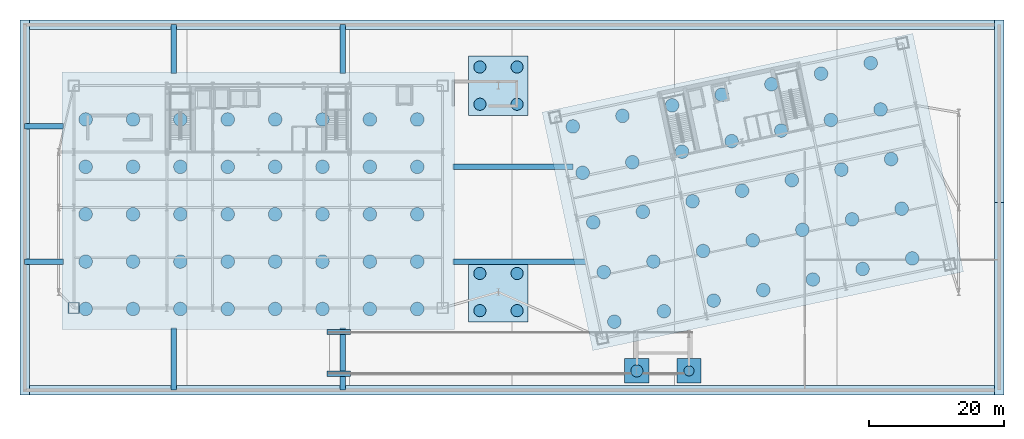
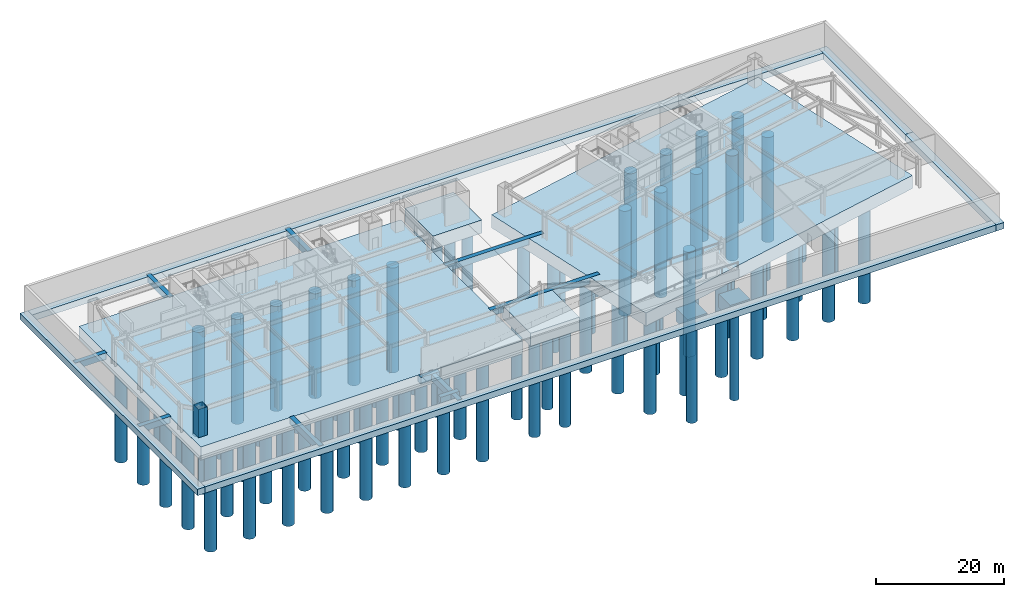
# One storey, part 1 of 15: 85 piles, 21 footings, 1 column.
"""IFC4 building model written with IfcOpenShell, lengths in metres."""

from ifc_helpers import new_model, si_unit, direction, frame, origin, origin_2d, place, context, subcontext, project, spatial, rectangle, hollow_rectangle, circle, extrude, material, material_profile, profile_set, type_object, element, save


model = new_model("IFC4")

# Units and contexts
model_context = context("Model", 3, precision=1e-05, world=origin(), true_north=direction((0.0, 1.0)))
body_context = subcontext(model_context, "Body", "Model", "MODEL_VIEW")
ifc_project = project(units=[si_unit("LENGTHUNIT", "METRE"), si_unit("AREAUNIT", "SQUARE_METRE"), si_unit("VOLUMEUNIT", "CUBIC_METRE"), si_unit("PLANEANGLEUNIT", "RADIAN"), si_unit("MASSUNIT", "GRAM", prefix="KILO")], contexts=[model_context])

# Site, building, storey
site_placement = place(None, origin())
site = spatial("IfcSite", under=ifc_project, at=site_placement, CompositionType="ELEMENT")
building_placement = place(site_placement, origin())
building = spatial("IfcBuilding", under=site, at=building_placement, Name="Haevon Station Towers", CompositionType="ELEMENT")
storey_placement = place(building_placement, frame((0.0, 0.0, -10.800048828125)))
storey = spatial("IfcBuildingStorey", under=building, at=storey_placement, Name="B02", CompositionType="ELEMENT", Elevation=-10.800048828125)

# Footings
ifc_material_1 = material(Name="Concrete C50/60", Category="concrete")
footing_type_1 = type_object("IfcFootingType", Name="FT-GB800", PredefinedType="FOOTING_BEAM", material=ifc_material_1)
for number, where, z_axis, x_axis, name in (
    (1, (5.85009765625, 22.0, -1.19970703125), (0.0, 0.0, 1.0), (1.0, 0.0, 0.0), "FT-GB-W1"),
    (2, (5.85009765625, 42.0, -1.19970703125), (0.0, 0.0, 1.0), (1.0, 0.0, 0.0), "FT-GB-W2"),
):
    element("IfcFooting", number, at=place(storey_placement, frame(where, z_axis=z_axis, x_axis=x_axis)), inside=storey, type_object=footing_type_1, Name=name, PredefinedType="FOOTING_BEAM", context=body_context, shape_type="SweptSolid", body=[
        extrude(rectangle(XDim=5.699951171875, YDim=0.800048828125, at=origin_2d()), origin(), (0.0, 0.0, 1.0), 1.199951171875),
    ])
for number, where, z_axis, x_axis, name in (
    (3, (25.0, 7.60009765625, -1.19970703125), (0.0, 0.0, 1.0), (0.0, 1.0, 0.0), "FT-GB-S1"),
    (4, (50.0, 7.60009765625, -1.19970703125), (0.0, 0.0, 1.0), (0.0, 1.0, 0.0), "FT-GB-S2"),
):
    element("IfcFooting", number, at=place(storey_placement, frame(where, z_axis=z_axis, x_axis=x_axis)), inside=storey, type_object=footing_type_1, Name=name, PredefinedType="FOOTING_BEAM", context=body_context, shape_type="SweptSolid", body=[
        extrude(rectangle(XDim=9.199951171875, YDim=0.800048828125, at=origin_2d()), origin(), (0.0, 0.0, 1.0), 1.199951171875),
    ])
for number, where, z_axis, x_axis, name in (
    (5, (25.0, 53.39990234375, -1.19970703125), (0.0, 0.0, 1.0), (0.0, 1.0, 0.0), "FT-GB-N1"),
    (6, (50.0, 53.39990234375, -1.19970703125), (0.0, 0.0, 1.0), (0.0, 1.0, 0.0), "FT-GB-N2"),
):
    element("IfcFooting", number, at=place(storey_placement, frame(where, z_axis=z_axis, x_axis=x_axis)), inside=storey, type_object=footing_type_1, Name=name, PredefinedType="FOOTING_BEAM", context=body_context, shape_type="SweptSolid", body=[
        extrude(rectangle(XDim=7.199951171875, YDim=0.800048828125, at=origin_2d()), origin(), (0.0, 0.0, 1.0), 1.199951171875),
    ])
footing_1_placement = place(storey_placement, frame((76.14990234375, 22.0, -1.19970703125), z_axis=(0.0, 0.0, 1.0), x_axis=(1.0, 0.0, 0.0)))
element("IfcFooting", 7, at=footing_1_placement, inside=storey, type_object=footing_type_1, Name="FT-GB-M1", PredefinedType="FOOTING_BEAM", context=body_context, shape_type="SweptSolid", body=[
    extrude(rectangle(XDim=19.699951171875, YDim=0.800048828125, at=origin_2d()), origin(), (0.0, 0.0, 1.0), 1.199951171875),
])
footing_2_placement = place(storey_placement, frame((75.14990234375, 36.0, -1.19970703125), z_axis=(0.0, 0.0, 1.0), x_axis=(1.0, 0.0, 0.0)))
element("IfcFooting", 8, at=footing_2_placement, inside=storey, type_object=footing_type_1, Name="FT-GB-M2", PredefinedType="FOOTING_BEAM", context=body_context, shape_type="SweptSolid", body=[
    extrude(rectangle(XDim=17.699951171875, YDim=0.800048828125, at=origin_2d()), origin(), (0.0, 0.0, 1.0), 1.199951171875),
])
for number, where, z_axis, x_axis, name in (
    (9, (49.39990234375, 5.39990234375, -1.19970703125), (0.0, 0.0, 1.0), (1.0, 0.0, 0.0), "FT-GB-RMP-S"),
    (10, (49.39990234375, 11.60009765625, -1.19970703125), (0.0, 0.0, 1.0), (1.0, 0.0, 0.0), "FT-GB-RMP-N"),
):
    element("IfcFooting", number, at=place(storey_placement, frame(where, z_axis=z_axis, x_axis=x_axis)), inside=storey, type_object=footing_type_1, Name=name, PredefinedType="FOOTING_BEAM", context=body_context, shape_type="SweptSolid", body=[
        extrude(rectangle(XDim=3.39990234375, YDim=0.800048828125, at=origin_2d()), origin(), (0.0, 0.0, 1.0), 1.199951171875),
    ])
footing_type_2 = type_object("IfcFootingType", Name="FT-MAT-CORE", PredefinedType="PILE_CAP", material=ifc_material_1)
footing_3_placement = place(storey_placement, frame((37.5, 31.0, -2.5), z_axis=(0.0, 0.0, 1.0), x_axis=(1.0, 0.0, 0.0)))
element("IfcFooting", 11, at=footing_3_placement, inside=storey, type_object=footing_type_2, Name="FT-MAT-T1", PredefinedType="PILE_CAP", context=body_context, shape_type="SweptSolid", body=[
    extrude(rectangle(XDim=58.0, YDim=38.0, at=origin_2d()), origin(), (0.0, 0.0, 1.0), 2.5),
])
footing_4_placement = place(storey_placement, frame((110.582275390625, 32.289306640625, -2.5), z_axis=(0.0, 0.0, 1.0), x_axis=(0.978147600734, 0.207911690818, 0.0)))
element("IfcFooting", 12, at=footing_4_placement, inside=storey, type_object=footing_type_2, Name="FT-MAT-T2", PredefinedType="PILE_CAP", context=body_context, shape_type="SweptSolid", body=[
    extrude(rectangle(XDim=56.0, YDim=36.0, at=origin_2d()), origin(), (0.0, 0.0, 1.0), 2.5),
])
footing_type_3 = type_object("IfcFootingType", Name="FT-PC36", PredefinedType="PILE_CAP", material=ifc_material_1)
for number, where, z_axis, x_axis, name in (
    (13, (93.449951171875, 5.85009765625, -2.5), (0.0, 0.0, 1.0), (1.0, 0.0, 0.0), "FT-CAP-003"),
    (14, (101.14990234375, 5.85009765625, -2.5), (0.0, 0.0, 1.0), (1.0, 0.0, 0.0), "FT-CAP-004"),
):
    element("IfcFooting", number, at=place(storey_placement, frame(where, z_axis=z_axis, x_axis=x_axis)), inside=storey, type_object=footing_type_3, Name=name, PredefinedType="PILE_CAP", context=body_context, shape_type="SweptSolid", body=[
        extrude(rectangle(XDim=3.60009765625, YDim=3.60009765625, at=origin_2d()), origin(), (0.0, 0.0, 1.0), 2.5),
    ])
footing_type_4 = type_object("IfcFootingType", Name="FT-PC88", PredefinedType="PILE_CAP", material=ifc_material_1)
for number, where, z_axis, x_axis, name in (
    (15, (73.0, 17.5, -2.5), (0.0, 0.0, 1.0), (1.0, 0.0, 0.0), "FT-CAP-001"),
    (16, (73.0, 48.0, -2.5), (0.0, 0.0, 1.0), (1.0, 0.0, 0.0), "FT-CAP-002"),
):
    element("IfcFooting", number, at=place(storey_placement, frame(where, z_axis=z_axis, x_axis=x_axis)), inside=storey, type_object=footing_type_4, Name=name, PredefinedType="PILE_CAP", context=body_context, shape_type="SweptSolid", body=[
        extrude(rectangle(XDim=8.800048828125, YDim=8.800048828125, at=origin_2d()), origin(), (0.0, 0.0, 1.0), 2.5),
    ])
footing_type_5 = type_object("IfcFootingType", Name="FT-SF1400", PredefinedType="STRIP_FOOTING", material=ifc_material_1)
for number, where, z_axis, x_axis, name in (
    (17, (75.0, 3.0, -1.19970703125), (0.0, 0.0, 1.0), (1.0, 0.0, 0.0), "FT-SF-SOUTH"),
    (18, (75.0, 57.0, -1.19970703125), (0.0, 0.0, 1.0), (1.0, 0.0, 0.0), "FT-SF-NORTH"),
):
    element("IfcFooting", number, at=place(storey_placement, frame(where, z_axis=z_axis, x_axis=x_axis)), inside=storey, type_object=footing_type_5, Name=name, PredefinedType="STRIP_FOOTING", context=body_context, shape_type="SweptSolid", body=[
        extrude(rectangle(XDim=145.39990234375, YDim=1.39990234375, at=origin_2d()), origin(), (0.0, 0.0, 1.0), 1.199951171875),
    ])
footing_5_placement = place(storey_placement, frame((3.0, 30.0, -1.19970703125), z_axis=(0.0, 0.0, 1.0), x_axis=(0.0, 1.0, 0.0)))
element("IfcFooting", 19, at=footing_5_placement, inside=storey, type_object=footing_type_5, Name="FT-SF-WEST", PredefinedType="STRIP_FOOTING", context=body_context, shape_type="SweptSolid", body=[
    extrude(rectangle(XDim=55.39990234375, YDim=1.39990234375, at=origin_2d()), origin(), (0.0, 0.0, 1.0), 1.199951171875),
])
for number, where, z_axis, x_axis, name in (
    (20, (147.0, 16.5, -1.19970703125), (0.0, 0.0, 1.0), (0.0, 1.0, 0.0), "FT-SF-EAST1"),
    (21, (147.0, 43.5, -1.19970703125), (0.0, 0.0, 1.0), (0.0, 1.0, 0.0), "FT-SF-EAST2"),
):
    element("IfcFooting", number, at=place(storey_placement, frame(where, z_axis=z_axis, x_axis=x_axis)), inside=storey, type_object=footing_type_5, Name=name, PredefinedType="STRIP_FOOTING", context=body_context, shape_type="SweptSolid", body=[
        extrude(rectangle(XDim=28.39990234375, YDim=1.39990234375, at=origin_2d()), origin(), (0.0, 0.0, 1.0), 1.199951171875),
    ])

# Piles
ifc_material_2 = material(Name="Concrete C45/55", Category="concrete")
ifc_material_profile_1 = material_profile(ifc_material_2, circle(Radius=0.75, at=origin_2d()), Name="PILE-D1500")
ifc_profile_set_1 = profile_set([ifc_material_profile_1], Name="Concrete C45/55")
pile_type_1 = type_object("IfcPileType", Name="PL-D1500", PredefinedType="BORED", material=ifc_profile_set_1)
pile_placement = place(storey_placement, frame((101.14990234375, 5.85009765625, -2.349853515625), z_axis=(0.0, 0.0, -1.0), x_axis=(1.0, 0.0, 0.0)))
element("IfcPile", 22, at=pile_placement, inside=storey, type_object=pile_type_1, Name="PL-FT-CAP-004-1", PredefinedType="BORED", context=body_context, shape_type="SweptSolid", body=[
    extrude(circle(Radius=0.75, at=origin_2d()), origin(), (0.0, 0.0, 1.0), 17.0),
])
ifc_material_profile_2 = material_profile(ifc_material_2, circle(Radius=0.89990234375, at=origin_2d()), Name="PILE-D1800")
ifc_profile_set_2 = profile_set([ifc_material_profile_2], Name="Concrete C45/55")
pile_type_2 = type_object("IfcPileType", Name="PL-D1800", PredefinedType="BORED", material=ifc_profile_set_2)
for number, where, z_axis, x_axis, name in (
    (23, (70.25, 14.75, -2.349853515625), (0.0, 0.0, -1.0), (1.0, 0.0, 0.0), "PL-FT-CAP-001-1"),
    (24, (70.25, 20.25, -2.349853515625), (0.0, 0.0, -1.0), (1.0, 0.0, 0.0), "PL-FT-CAP-001-2"),
    (25, (75.75, 14.75, -2.349853515625), (0.0, 0.0, -1.0), (1.0, 0.0, 0.0), "PL-FT-CAP-001-3"),
    (26, (75.75, 20.25, -2.349853515625), (0.0, 0.0, -1.0), (1.0, 0.0, 0.0), "PL-FT-CAP-001-4"),
    (27, (70.25, 45.25, -2.349853515625), (0.0, 0.0, -1.0), (1.0, 0.0, 0.0), "PL-FT-CAP-002-1"),
    (28, (70.25, 50.75, -2.349853515625), (0.0, 0.0, -1.0), (1.0, 0.0, 0.0), "PL-FT-CAP-002-2"),
    (29, (75.75, 45.25, -2.349853515625), (0.0, 0.0, -1.0), (1.0, 0.0, 0.0), "PL-FT-CAP-002-3"),
    (30, (75.75, 50.75, -2.349853515625), (0.0, 0.0, -1.0), (1.0, 0.0, 0.0), "PL-FT-CAP-002-4"),
    (31, (93.449951171875, 5.85009765625, -2.349853515625), (0.0, 0.0, -1.0), (1.0, 0.0, 0.0), "PL-FT-CAP-003-1"),
):
    element("IfcPile", number, at=place(storey_placement, frame(where, z_axis=z_axis, x_axis=x_axis)), inside=storey, type_object=pile_type_2, Name=name, PredefinedType="BORED", context=body_context, shape_type="SweptSolid", body=[
        extrude(circle(Radius=0.89990234375, at=origin_2d()), origin(), (0.0, 0.0, 1.0), 18.5),
    ])
ifc_material_profile_3 = material_profile(ifc_material_2, circle(Radius=1.0, at=origin_2d()), Name="PILE-D2000")
ifc_profile_set_3 = profile_set([ifc_material_profile_3], Name="Concrete C45/55")
pile_type_3 = type_object("IfcPileType", Name="PL-D2000", PredefinedType="BORED", material=ifc_profile_set_3)
for number, where, z_axis, x_axis, name in (
    (32, (12.0, 15.0, -2.349853515625), (0.0, 0.0, -1.0), (1.0, 0.0, 0.0), "PL-T1M-001"),
    (33, (12.0, 22.0, -2.349853515625), (0.0, 0.0, -1.0), (1.0, 0.0, 0.0), "PL-T1M-002"),
    (34, (12.0, 29.0, -2.349853515625), (0.0, 0.0, -1.0), (1.0, 0.0, 0.0), "PL-T1M-003"),
    (35, (12.0, 36.0, -2.349853515625), (0.0, 0.0, -1.0), (1.0, 0.0, 0.0), "PL-T1M-004"),
    (36, (12.0, 43.0, -2.349853515625), (0.0, 0.0, -1.0), (1.0, 0.0, 0.0), "PL-T1M-005"),
    (37, (19.0, 15.0, -2.349853515625), (0.0, 0.0, -1.0), (1.0, 0.0, 0.0), "PL-T1M-007"),
    (38, (19.0, 22.0, -2.349853515625), (0.0, 0.0, -1.0), (1.0, 0.0, 0.0), "PL-T1M-008"),
    (39, (19.0, 29.0, -2.349853515625), (0.0, 0.0, -1.0), (1.0, 0.0, 0.0), "PL-T1M-009"),
    (40, (19.0, 36.0, -2.349853515625), (0.0, 0.0, -1.0), (1.0, 0.0, 0.0), "PL-T1M-010"),
    (41, (19.0, 43.0, -2.349853515625), (0.0, 0.0, -1.0), (1.0, 0.0, 0.0), "PL-T1M-011"),
    (42, (26.0, 15.0, -2.349853515625), (0.0, 0.0, -1.0), (1.0, 0.0, 0.0), "PL-T1M-013"),
    (43, (26.0, 22.0, -2.349853515625), (0.0, 0.0, -1.0), (1.0, 0.0, 0.0), "PL-T1M-014"),
    (44, (26.0, 29.0, -2.349853515625), (0.0, 0.0, -1.0), (1.0, 0.0, 0.0), "PL-T1M-015"),
    (45, (26.0, 36.0, -2.349853515625), (0.0, 0.0, -1.0), (1.0, 0.0, 0.0), "PL-T1M-016"),
    (46, (26.0, 43.0, -2.349853515625), (0.0, 0.0, -1.0), (1.0, 0.0, 0.0), "PL-T1M-017"),
    (47, (33.0, 15.0, -2.349853515625), (0.0, 0.0, -1.0), (1.0, 0.0, 0.0), "PL-T1M-019"),
    (48, (33.0, 22.0, -2.349853515625), (0.0, 0.0, -1.0), (1.0, 0.0, 0.0), "PL-T1M-020"),
    (49, (33.0, 29.0, -2.349853515625), (0.0, 0.0, -1.0), (1.0, 0.0, 0.0), "PL-T1M-021"),
    (50, (33.0, 36.0, -2.349853515625), (0.0, 0.0, -1.0), (1.0, 0.0, 0.0), "PL-T1M-022"),
    (51, (33.0, 43.0, -2.349853515625), (0.0, 0.0, -1.0), (1.0, 0.0, 0.0), "PL-T1M-023"),
    (52, (40.0, 15.0, -2.349853515625), (0.0, 0.0, -1.0), (1.0, 0.0, 0.0), "PL-T1M-025"),
    (53, (40.0, 22.0, -2.349853515625), (0.0, 0.0, -1.0), (1.0, 0.0, 0.0), "PL-T1M-026"),
    (54, (40.0, 29.0, -2.349853515625), (0.0, 0.0, -1.0), (1.0, 0.0, 0.0), "PL-T1M-027"),
    (55, (40.0, 36.0, -2.349853515625), (0.0, 0.0, -1.0), (1.0, 0.0, 0.0), "PL-T1M-028"),
    (56, (40.0, 43.0, -2.349853515625), (0.0, 0.0, -1.0), (1.0, 0.0, 0.0), "PL-T1M-029"),
    (57, (47.0, 15.0, -2.349853515625), (0.0, 0.0, -1.0), (1.0, 0.0, 0.0), "PL-T1M-031"),
    (58, (47.0, 22.0, -2.349853515625), (0.0, 0.0, -1.0), (1.0, 0.0, 0.0), "PL-T1M-032"),
    (59, (47.0, 29.0, -2.349853515625), (0.0, 0.0, -1.0), (1.0, 0.0, 0.0), "PL-T1M-033"),
    (60, (47.0, 36.0, -2.349853515625), (0.0, 0.0, -1.0), (1.0, 0.0, 0.0), "PL-T1M-034"),
    (61, (47.0, 43.0, -2.349853515625), (0.0, 0.0, -1.0), (1.0, 0.0, 0.0), "PL-T1M-035"),
    (62, (54.0, 15.0, -2.349853515625), (0.0, 0.0, -1.0), (1.0, 0.0, 0.0), "PL-T1M-037"),
    (63, (54.0, 22.0, -2.349853515625), (0.0, 0.0, -1.0), (1.0, 0.0, 0.0), "PL-T1M-038"),
    (64, (54.0, 29.0, -2.349853515625), (0.0, 0.0, -1.0), (1.0, 0.0, 0.0), "PL-T1M-039"),
    (65, (54.0, 36.0, -2.349853515625), (0.0, 0.0, -1.0), (1.0, 0.0, 0.0), "PL-T1M-040"),
    (66, (54.0, 43.0, -2.349853515625), (0.0, 0.0, -1.0), (1.0, 0.0, 0.0), "PL-T1M-041"),
    (67, (61.0, 15.0, -2.349853515625), (0.0, 0.0, -1.0), (1.0, 0.0, 0.0), "PL-T1M-043"),
    (68, (61.0, 22.0, -2.349853515625), (0.0, 0.0, -1.0), (1.0, 0.0, 0.0), "PL-T1M-044"),
    (69, (61.0, 29.0, -2.349853515625), (0.0, 0.0, -1.0), (1.0, 0.0, 0.0), "PL-T1M-045"),
    (70, (61.0, 36.0, -2.349853515625), (0.0, 0.0, -1.0), (1.0, 0.0, 0.0), "PL-T1M-046"),
    (71, (61.0, 43.0, -2.349853515625), (0.0, 0.0, -1.0), (1.0, 0.0, 0.0), "PL-T1M-047"),
    (72, (90.121337890625, 13.116455078125, -2.349853515625), (0.0, 0.0, -1.0), (1.0, 0.0, 0.0), "PL-T2M-001"),
    (73, (88.56201171875, 20.452392578125, -2.349853515625), (0.0, 0.0, -1.0), (1.0, 0.0, 0.0), "PL-T2M-002"),
    (74, (87.002685546875, 27.78857421875, -2.349853515625), (0.0, 0.0, -1.0), (1.0, 0.0, 0.0), "PL-T2M-003"),
    (75, (85.443359375, 35.124755859375, -2.349853515625), (0.0, 0.0, -1.0), (1.0, 0.0, 0.0), "PL-T2M-004"),
    (76, (83.988037109375, 41.9716796875, -2.349853515625), (0.0, 0.0, -1.0), (1.0, 0.0, 0.0), "PL-T2M-005"),
    (77, (97.45751953125, 14.67578125, -2.349853515625), (0.0, 0.0, -1.0), (1.0, 0.0, 0.0), "PL-T2M-006"),
    (78, (95.898193359375, 22.01171875, -2.349853515625), (0.0, 0.0, -1.0), (1.0, 0.0, 0.0), "PL-T2M-007"),
    (79, (94.3388671875, 29.347900390625, -2.349853515625), (0.0, 0.0, -1.0), (1.0, 0.0, 0.0), "PL-T2M-008"),
    (80, (92.779541015625, 36.68408203125, -2.349853515625), (0.0, 0.0, -1.0), (1.0, 0.0, 0.0), "PL-T2M-009"),
    (81, (91.32421875, 43.531005859375, -2.349853515625), (0.0, 0.0, -1.0), (1.0, 0.0, 0.0), "PL-T2M-010"),
    (82, (104.793701171875, 16.235107421875, -2.349853515625), (0.0, 0.0, -1.0), (1.0, 0.0, 0.0), "PL-T2M-011"),
    (83, (103.234375, 23.571044921875, -2.349853515625), (0.0, 0.0, -1.0), (1.0, 0.0, 0.0), "PL-T2M-012"),
    (84, (101.675048828125, 30.9072265625, -2.349853515625), (0.0, 0.0, -1.0), (1.0, 0.0, 0.0), "PL-T2M-013"),
    (85, (100.11572265625, 38.243408203125, -2.349853515625), (0.0, 0.0, -1.0), (1.0, 0.0, 0.0), "PL-T2M-014"),
    (86, (98.66015625, 45.09033203125, -2.349853515625), (0.0, 0.0, -1.0), (1.0, 0.0, 0.0), "PL-T2M-015"),
    (87, (112.129638671875, 17.79443359375, -2.349853515625), (0.0, 0.0, -1.0), (1.0, 0.0, 0.0), "PL-T2M-016"),
    (88, (110.5703125, 25.13037109375, -2.349853515625), (0.0, 0.0, -1.0), (1.0, 0.0, 0.0), "PL-T2M-017"),
    (89, (109.010986328125, 32.466552734375, -2.349853515625), (0.0, 0.0, -1.0), (1.0, 0.0, 0.0), "PL-T2M-018"),
    (90, (107.45166015625, 39.802734375, -2.349853515625), (0.0, 0.0, -1.0), (1.0, 0.0, 0.0), "PL-T2M-019"),
    (91, (105.996337890625, 46.649658203125, -2.349853515625), (0.0, 0.0, -1.0), (1.0, 0.0, 0.0), "PL-T2M-020"),
    (92, (119.4658203125, 19.353759765625, -2.349853515625), (0.0, 0.0, -1.0), (1.0, 0.0, 0.0), "PL-T2M-021"),
    (93, (117.906494140625, 26.689697265625, -2.349853515625), (0.0, 0.0, -1.0), (1.0, 0.0, 0.0), "PL-T2M-022"),
    (94, (116.34716796875, 34.02587890625, -2.349853515625), (0.0, 0.0, -1.0), (1.0, 0.0, 0.0), "PL-T2M-023"),
    (95, (114.787841796875, 41.362060546875, -2.349853515625), (0.0, 0.0, -1.0), (1.0, 0.0, 0.0), "PL-T2M-024"),
    (96, (113.33251953125, 48.208984375, -2.349853515625), (0.0, 0.0, -1.0), (1.0, 0.0, 0.0), "PL-T2M-025"),
    (97, (126.802001953125, 20.9130859375, -2.349853515625), (0.0, 0.0, -1.0), (1.0, 0.0, 0.0), "PL-T2M-026"),
    (98, (125.24267578125, 28.249267578125, -2.349853515625), (0.0, 0.0, -1.0), (1.0, 0.0, 0.0), "PL-T2M-027"),
    (99, (123.683349609375, 35.585205078125, -2.349853515625), (0.0, 0.0, -1.0), (1.0, 0.0, 0.0), "PL-T2M-028"),
    (100, (122.1240234375, 42.92138671875, -2.349853515625), (0.0, 0.0, -1.0), (1.0, 0.0, 0.0), "PL-T2M-029"),
    (101, (120.66845703125, 49.768310546875, -2.349853515625), (0.0, 0.0, -1.0), (1.0, 0.0, 0.0), "PL-T2M-030"),
    (102, (134.137939453125, 22.472412109375, -2.349853515625), (0.0, 0.0, -1.0), (1.0, 0.0, 0.0), "PL-T2M-031"),
    (103, (132.57861328125, 29.80859375, -2.349853515625), (0.0, 0.0, -1.0), (1.0, 0.0, 0.0), "PL-T2M-032"),
    (104, (131.019287109375, 37.14453125, -2.349853515625), (0.0, 0.0, -1.0), (1.0, 0.0, 0.0), "PL-T2M-033"),
    (105, (129.4599609375, 44.480712890625, -2.349853515625), (0.0, 0.0, -1.0), (1.0, 0.0, 0.0), "PL-T2M-034"),
    (106, (128.004638671875, 51.32763671875, -2.349853515625), (0.0, 0.0, -1.0), (1.0, 0.0, 0.0), "PL-T2M-035"),
):
    element("IfcPile", number, at=place(storey_placement, frame(where, z_axis=z_axis, x_axis=x_axis)), inside=storey, type_object=pile_type_3, Name=name, PredefinedType="BORED", context=body_context, shape_type="SweptSolid", body=[
        extrude(circle(Radius=1.0, at=origin_2d()), origin(), (0.0, 0.0, 1.0), 20.0),
    ])

# Column
ifc_material_3 = material(Name="Steel S460", Category="steel")
ifc_material_profile_4 = material_profile(ifc_material_3, hollow_rectangle(XDim=1.60009765625, YDim=1.60009765625, WallThickness=0.0400390625, at=origin_2d()), Name="BOX-1600x1600x40")
ifc_profile_set_4 = profile_set([ifc_material_profile_4], Name="Steel S460")
column_type = type_object("IfcColumnType", Name="COL-MC1", PredefinedType="COLUMN", material=ifc_profile_set_4)
column_placement = place(storey_placement, frame((10.25, 15.14990234375, 0.0), z_axis=(0.0, 0.0, 1.0), x_axis=(1.0, 0.0, 0.0)))
element("IfcColumn", 107, at=column_placement, inside=storey, type_object=column_type, Name="COL-T1-B02-01-01", PredefinedType="COLUMN", context=body_context, shape_type="SweptSolid", body=[
    extrude(hollow_rectangle(XDim=1.60009765625, YDim=1.60009765625, WallThickness=0.0400390625, at=origin_2d()), origin(), (0.0, 0.0, 1.0), 5.400146484375),
])

save(model, "model.ifc")
